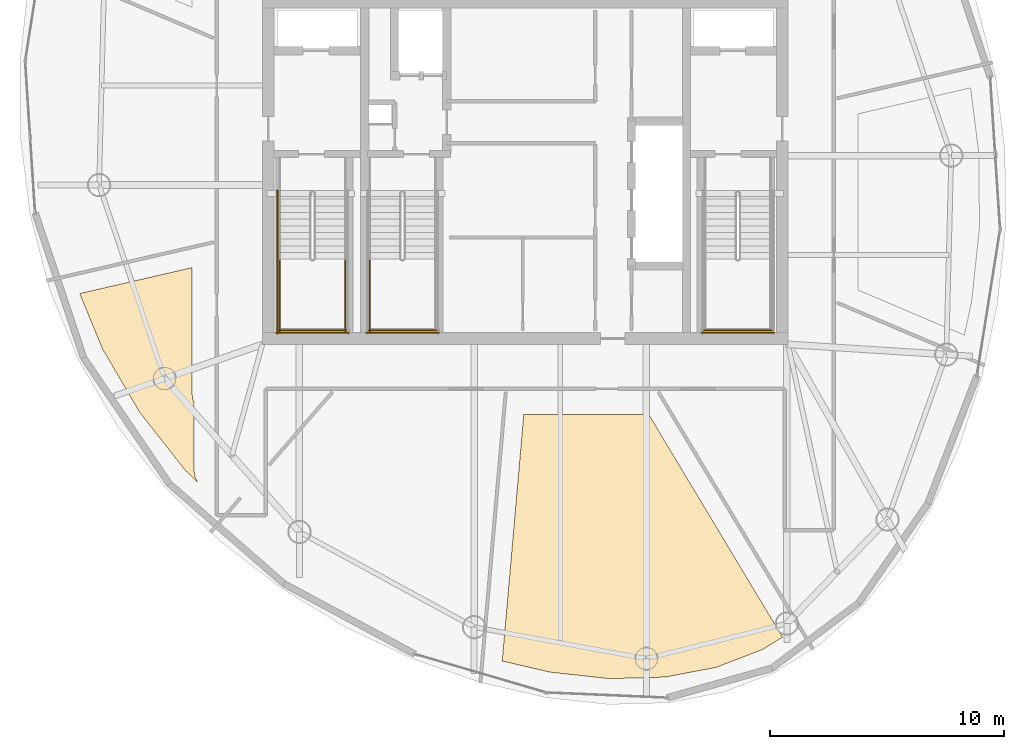
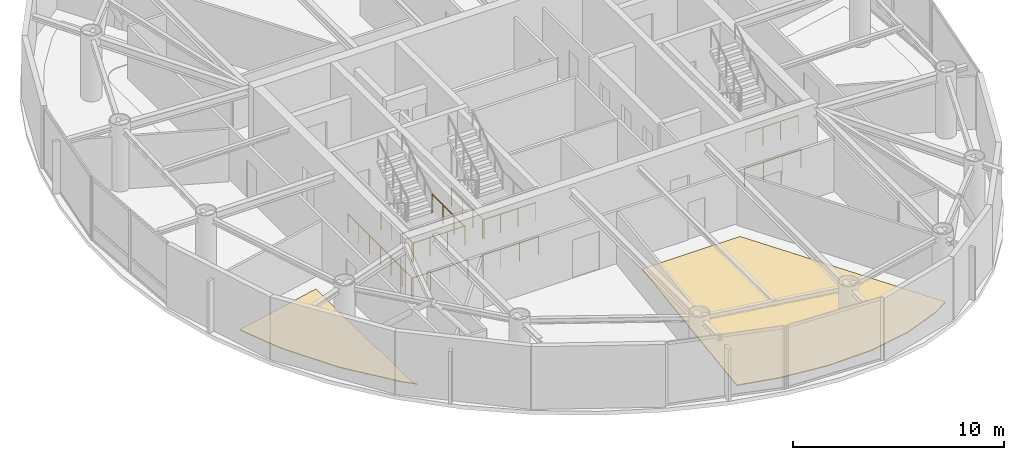
# One storey, part 16 of 18: 10 railings, 2 coverings.
"""IFC4 building model written with IfcOpenShell, lengths in metres."""

from ifc_helpers import new_model, si_unit, direction, frame, origin, origin_2d, place, context, subcontext, project, spatial, polyline, circle, outline, extrude, material, layer, layer_set, type_object, element, save


model = new_model("IFC4")

# Units and contexts
model_context = context("Model", 3, precision=1e-05, world=origin(), true_north=direction((0.0, 1.0)))
body_context = subcontext(model_context, "Body", "Model", "MODEL_VIEW")
ifc_project = project(units=[si_unit("LENGTHUNIT", "METRE"), si_unit("AREAUNIT", "SQUARE_METRE"), si_unit("VOLUMEUNIT", "CUBIC_METRE"), si_unit("PLANEANGLEUNIT", "RADIAN"), si_unit("MASSUNIT", "GRAM", prefix="KILO")], contexts=[model_context])

# Site, building, storey
site_placement = place(None, origin())
site = spatial("IfcSite", under=ifc_project, at=site_placement, CompositionType="ELEMENT")
building_placement = place(site_placement, origin())
building = spatial("IfcBuilding", under=site, at=building_placement, Name="Bramvorn Convention Spire", CompositionType="ELEMENT")
storey_placement = place(building_placement, frame((0.0, 0.0, 288.25)))
storey = spatial("IfcBuildingStorey", under=building, at=storey_placement, Name="L73", CompositionType="ELEMENT", Elevation=288.25)

# Coverings
ifc_material_1 = material(Name="Calcium-Sulphate Raised Access Office Floor", Category="steel")
ifc_layer = layer(ifc_material_1, 0.044921875)
ifc_layer_set = layer_set([ifc_layer], Name="Calcium-Sulphate Raised Access Office Floor - FLR-RAISED-45")
covering_type = type_object("IfcCoveringType", Name="FLR-RAISED-45", PredefinedType="FLOORING", material=ifc_layer_set)
covering_1_placement = place(storey_placement, origin())
element("IfcCovering", 1, at=covering_1_placement, inside=storey, type_object=covering_type, Name="L73 Studio Espresso Kitchen 6 raised floor finish", PredefinedType="FLOORING", context=body_context, shape_type="SweptSolid", body=[
    extrude(outline(polyline([(19.90087890625, 18.37451171875), (21.489501953125, 15.65869140625), (23.4375, 13.17626953125), (23.998291015625, 12.62548828125), (23.885986328125, 12.84521484375), (23.8310546875, 13.127685546875), (23.830078125, 16.04248046875), (23.766357421875, 16.234130859375), (23.75, 16.39990234375), (23.75, 21.837890625), (18.93310546875, 20.7255859375), (19.90087890625, 18.37451171875)])), origin(), (0.0, 0.0, 1.0), 0.044921875),
])
covering_2_placement = place(storey_placement, origin())
element("IfcCovering", 2, at=covering_2_placement, inside=storey, type_object=covering_type, Name="L73 Tenant Briefing Room 8 raised floor finish", PredefinedType="FLOORING", context=body_context, shape_type="SweptSolid", body=[
    extrude(outline(polyline([(39.051025390625, 4.52490234375), (41.6015625, 4.243896484375), (43.9794921875, 4.310791015625), (46.164794921875, 4.72607421875), (48.158203125, 5.49169921875), (49.013671875, 6.019775390625), (43.287353515625, 15.550048828125), (37.93896484375, 15.550048828125), (37.01611328125, 4.999755859375), (39.051025390625, 4.52490234375)])), origin(), (0.0, 0.0, 1.0), 0.044921875),
])

# Railings
ifc_material_2 = material(Name="Painted Steel Balustrade & Guardrail", Category="steel")
railing_type = type_object("IfcRailingType", Name="RL-STAIR-GUARD-1100", PredefinedType="GUARDRAIL", material=ifc_material_2)
for number, where, name in (
    (3, (27.5, 22.199951171875, 1.925048828125), "L73 ST1 stair guard 3"),
    (4, (30.300048828125, 22.199951171875, 1.925048828125), "L73 ST1 stair guard 4"),
):
    element("IfcRailing", number, at=place(storey_placement, frame(where)), inside=storey, type_object=railing_type, Name=name, PredefinedType="GUARDRAIL", context=body_context, shape_type="SweptSolid", body=[
        extrude(circle(Radius=0.02392578125, at=origin_2d()), frame((0.0, 0.0, 1.076171875), z_axis=(0.0, -1.0, 0.0), x_axis=(1.0, 0.0, 0.0)), (0.0, 0.0, 1.0), 3.099853515625),
        extrude(circle(Radius=0.02099609375, at=origin_2d()), origin(), (0.0, 0.0, 1.0), 1.052001953125),
        extrude(circle(Radius=0.02099609375, at=origin_2d()), frame((0.0, -1.033203125, 0.0)), (0.0, 0.0, 1.0), 1.052001953125),
        extrude(circle(Radius=0.02099609375, at=origin_2d()), frame((0.0, -2.066650390625, 0.0)), (0.0, 0.0, 1.0), 1.052001953125),
        extrude(circle(Radius=0.02099609375, at=origin_2d()), frame((0.0, -3.099853515625, 0.0)), (0.0, 0.0, 1.0), 1.052001953125),
    ])
railing_1_placement = place(storey_placement, frame((27.449951171875, 19.14990234375, 1.925048828125)))
element("IfcRailing", 5, at=railing_1_placement, inside=storey, type_object=railing_type, Name="L73 ST1 stair guard 5", PredefinedType="GUARDRAIL", context=body_context, shape_type="SweptSolid", body=[
    extrude(circle(Radius=0.02392578125, at=origin_2d()), frame((0.0, 0.0, 1.076171875), z_axis=(1.0, 0.0, 0.0), x_axis=(0.0, 1.0, 0.0)), (0.0, 0.0, 1.0), 2.900146484375),
    extrude(circle(Radius=0.02099609375, at=origin_2d()), origin(), (0.0, 0.0, 1.0), 1.052001953125),
    extrude(circle(Radius=0.02099609375, at=origin_2d()), frame((0.966796875, 0.0, 0.0)), (0.0, 0.0, 1.0), 1.052001953125),
    extrude(circle(Radius=0.02099609375, at=origin_2d()), frame((1.933349609375, 0.0, 0.0)), (0.0, 0.0, 1.0), 1.052001953125),
    extrude(circle(Radius=0.02099609375, at=origin_2d()), frame((2.900146484375, 0.0, 0.0)), (0.0, 0.0, 1.0), 1.052001953125),
])
railing_2_placement = place(storey_placement, frame((27.39990234375, 25.14990234375, 0.0)))
element("IfcRailing", 6, at=railing_2_placement, inside=storey, type_object=railing_type, Name="L73 ST1 stair guard 10", PredefinedType="GUARDRAIL", context=body_context, shape_type="SweptSolid", body=[
    extrude(circle(Radius=0.02392578125, at=origin_2d()), frame((0.0, 0.0, 1.076171875), z_axis=(0.0, -1.0, 0.0), x_axis=(1.0, 0.0, 0.0)), (0.0, 0.0, 1.0), 6.14990234375),
    extrude(circle(Radius=0.02099609375, at=origin_2d()), origin(), (0.0, 0.0, 1.0), 1.052001953125),
    extrude(circle(Radius=0.02099609375, at=origin_2d()), frame((0.0, -1.02490234375, 0.0)), (0.0, 0.0, 1.0), 1.052001953125),
    extrude(circle(Radius=0.02099609375, at=origin_2d()), frame((0.0, -2.050048828125, 0.0)), (0.0, 0.0, 1.0), 1.052001953125),
    extrude(circle(Radius=0.02099609375, at=origin_2d()), frame((0.0, -3.074951171875, 0.0)), (0.0, 0.0, 1.0), 1.052001953125),
    extrude(circle(Radius=0.02099609375, at=origin_2d()), frame((0.0, -4.099853515625, 0.0)), (0.0, 0.0, 1.0), 1.052001953125),
    extrude(circle(Radius=0.02099609375, at=origin_2d()), frame((0.0, -5.125, 0.0)), (0.0, 0.0, 1.0), 1.052001953125),
    extrude(circle(Radius=0.02099609375, at=origin_2d()), frame((0.0, -6.14990234375, 0.0)), (0.0, 0.0, 1.0), 1.052001953125),
])
railing_3_placement = place(storey_placement, frame((27.35009765625, 19.050048828125, 0.0)))
element("IfcRailing", 7, at=railing_3_placement, inside=storey, type_object=railing_type, Name="L73 ST1 stair guard 12", PredefinedType="GUARDRAIL", context=body_context, shape_type="SweptSolid", body=[
    extrude(circle(Radius=0.02392578125, at=origin_2d()), frame((0.0, 0.0, 1.076171875), z_axis=(1.0, 0.0, 0.0), x_axis=(0.0, 1.0, 0.0)), (0.0, 0.0, 1.0), 3.099853515625),
    extrude(circle(Radius=0.02099609375, at=origin_2d()), origin(), (0.0, 0.0, 1.0), 1.052001953125),
    extrude(circle(Radius=0.02099609375, at=origin_2d()), frame((1.033203125, 0.0, 0.0)), (0.0, 0.0, 1.0), 1.052001953125),
    extrude(circle(Radius=0.02099609375, at=origin_2d()), frame((2.066650390625, 0.0, 0.0)), (0.0, 0.0, 1.0), 1.052001953125),
    extrude(circle(Radius=0.02099609375, at=origin_2d()), frame((3.099853515625, 0.0, 0.0)), (0.0, 0.0, 1.0), 1.052001953125),
])
railing_4_placement = place(storey_placement, frame((45.64990234375, 19.14990234375, 1.925048828125)))
element("IfcRailing", 8, at=railing_4_placement, inside=storey, type_object=railing_type, Name="L73 ST2 stair guard 5", PredefinedType="GUARDRAIL", context=body_context, shape_type="SweptSolid", body=[
    extrude(circle(Radius=0.02392578125, at=origin_2d()), frame((0.0, 0.0, 1.076171875), z_axis=(1.0, 0.0, 0.0), x_axis=(0.0, 1.0, 0.0)), (0.0, 0.0, 1.0), 2.900146484375),
    extrude(circle(Radius=0.02099609375, at=origin_2d()), origin(), (0.0, 0.0, 1.0), 1.052001953125),
    extrude(circle(Radius=0.02099609375, at=origin_2d()), frame((0.966796875, 0.0, 0.0)), (0.0, 0.0, 1.0), 1.052001953125),
    extrude(circle(Radius=0.02099609375, at=origin_2d()), frame((1.933349609375, 0.0, 0.0)), (0.0, 0.0, 1.0), 1.052001953125),
    extrude(circle(Radius=0.02099609375, at=origin_2d()), frame((2.900146484375, 0.0, 0.0)), (0.0, 0.0, 1.0), 1.052001953125),
])
railing_5_placement = place(storey_placement, frame((45.550048828125, 19.050048828125, 0.0)))
element("IfcRailing", 9, at=railing_5_placement, inside=storey, type_object=railing_type, Name="L73 ST2 stair guard 12", PredefinedType="GUARDRAIL", context=body_context, shape_type="SweptSolid", body=[
    extrude(circle(Radius=0.02392578125, at=origin_2d()), frame((0.0, 0.0, 1.076171875), z_axis=(1.0, 0.0, 0.0), x_axis=(0.0, 1.0, 0.0)), (0.0, 0.0, 1.0), 3.099853515625),
    extrude(circle(Radius=0.02099609375, at=origin_2d()), origin(), (0.0, 0.0, 1.0), 1.052001953125),
    extrude(circle(Radius=0.02099609375, at=origin_2d()), frame((1.033203125, 0.0, 0.0)), (0.0, 0.0, 1.0), 1.052001953125),
    extrude(circle(Radius=0.02099609375, at=origin_2d()), frame((2.066650390625, 0.0, 0.0)), (0.0, 0.0, 1.0), 1.052001953125),
    extrude(circle(Radius=0.02099609375, at=origin_2d()), frame((3.099853515625, 0.0, 0.0)), (0.0, 0.0, 1.0), 1.052001953125),
])
railing_6_placement = place(storey_placement, frame((31.35009765625, 22.199951171875, 1.925048828125)))
element("IfcRailing", 10, at=railing_6_placement, inside=storey, type_object=railing_type, Name="L73 ST3 stair guard 3", PredefinedType="GUARDRAIL", context=body_context, shape_type="SweptSolid", body=[
    extrude(circle(Radius=0.02392578125, at=origin_2d()), frame((0.0, 0.0, 1.076171875), z_axis=(0.0, -1.0, 0.0), x_axis=(1.0, 0.0, 0.0)), (0.0, 0.0, 1.0), 3.099853515625),
    extrude(circle(Radius=0.02099609375, at=origin_2d()), origin(), (0.0, 0.0, 1.0), 1.052001953125),
    extrude(circle(Radius=0.02099609375, at=origin_2d()), frame((0.0, -1.033203125, 0.0)), (0.0, 0.0, 1.0), 1.052001953125),
    extrude(circle(Radius=0.02099609375, at=origin_2d()), frame((0.0, -2.066650390625, 0.0)), (0.0, 0.0, 1.0), 1.052001953125),
    extrude(circle(Radius=0.02099609375, at=origin_2d()), frame((0.0, -3.099853515625, 0.0)), (0.0, 0.0, 1.0), 1.052001953125),
])
railing_7_placement = place(storey_placement, frame((31.300048828125, 19.14990234375, 1.925048828125)))
element("IfcRailing", 11, at=railing_7_placement, inside=storey, type_object=railing_type, Name="L73 ST3 stair guard 5", PredefinedType="GUARDRAIL", context=body_context, shape_type="SweptSolid", body=[
    extrude(circle(Radius=0.02392578125, at=origin_2d()), frame((0.0, 0.0, 1.076171875), z_axis=(1.0, 0.0, 0.0), x_axis=(0.0, 1.0, 0.0)), (0.0, 0.0, 1.0), 2.89990234375),
    extrude(circle(Radius=0.02099609375, at=origin_2d()), origin(), (0.0, 0.0, 1.0), 1.052001953125),
    extrude(circle(Radius=0.02099609375, at=origin_2d()), frame((0.966552734375, 0.0, 0.0)), (0.0, 0.0, 1.0), 1.052001953125),
    extrude(circle(Radius=0.02099609375, at=origin_2d()), frame((1.933349609375, 0.0, 0.0)), (0.0, 0.0, 1.0), 1.052001953125),
    extrude(circle(Radius=0.02099609375, at=origin_2d()), frame((2.89990234375, 0.0, 0.0)), (0.0, 0.0, 1.0), 1.052001953125),
])
railing_8_placement = place(storey_placement, frame((31.199951171875, 19.050048828125, 0.0)))
element("IfcRailing", 12, at=railing_8_placement, inside=storey, type_object=railing_type, Name="L73 ST3 stair guard 12", PredefinedType="GUARDRAIL", context=body_context, shape_type="SweptSolid", body=[
    extrude(circle(Radius=0.02392578125, at=origin_2d()), frame((0.0, 0.0, 1.076171875), z_axis=(1.0, 0.0, 0.0), x_axis=(0.0, 1.0, 0.0)), (0.0, 0.0, 1.0), 3.10009765625),
    extrude(circle(Radius=0.02099609375, at=origin_2d()), origin(), (0.0, 0.0, 1.0), 1.052001953125),
    extrude(circle(Radius=0.02099609375, at=origin_2d()), frame((1.033447265625, 0.0, 0.0)), (0.0, 0.0, 1.0), 1.052001953125),
    extrude(circle(Radius=0.02099609375, at=origin_2d()), frame((2.066650390625, 0.0, 0.0)), (0.0, 0.0, 1.0), 1.052001953125),
    extrude(circle(Radius=0.02099609375, at=origin_2d()), frame((3.10009765625, 0.0, 0.0)), (0.0, 0.0, 1.0), 1.052001953125),
])

save(model, "model.ifc")
